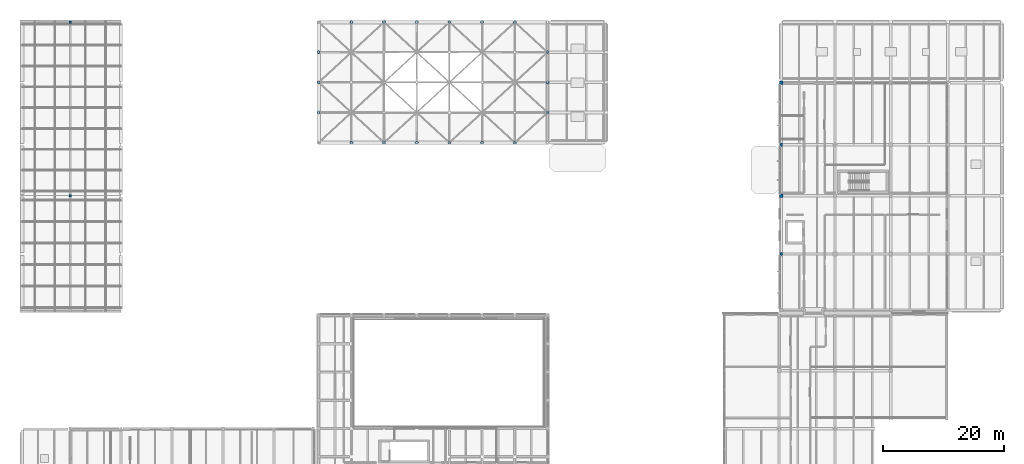
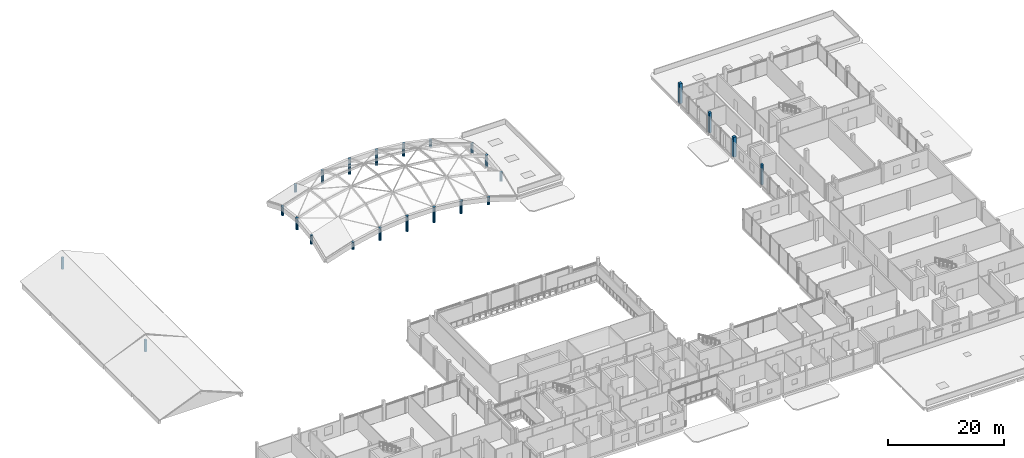
# One storey, part 3 of 66: 24 columns.
"""IFC4 building model written with IfcOpenShell, lengths in metres."""

import ifcopenshell
import ifcopenshell.guid

model = None  # the IFC model being written
_history = None  # IfcOwnerHistory: only IFC2X3 demands one
_inside = {}  # id of a spatial element -> (the spatial element, [elements in it])
_under = {}  # id of a project, library or spatial element -> (it, [spatial elements below it])
_declared = {}  # id of a project -> (the project, [libraries it declares])
_typed = {}  # id of a type object -> (the type object, [elements of that type])
_made_of = {}  # id of a material, layer set ... -> (it, [elements and type objects made of it])


def new_model(schema):
    """Start an empty IFC model of exactly this schema.

    Asked for "IFC4X3", IfcOpenShell would pick the latest addendum, in which some entities
    have other attributes; the version numbers below select the first issue.
    IFC2X3 requires an IfcOwnerHistory on every rooted entity: one is made here for all.
    """
    global model, _history
    if schema == "IFC4X3":
        model = ifcopenshell.file(schema_version=(4, 3, 0, 0))
    else:
        model = ifcopenshell.file(schema=schema)
    _inside.clear()
    _under.clear()
    _declared.clear()
    _typed.clear()
    _made_of.clear()
    _history = None
    if model.schema == "IFC2X3":
        org = make("IfcOrganization", Name="unknown")
        user = make(
            "IfcPersonAndOrganization",
            ThePerson=make("IfcPerson", FamilyName="unknown"),
            TheOrganization=org,
        )
        app = make(
            "IfcApplication",
            ApplicationDeveloper=org,
            Version="unknown",
            ApplicationFullName="unknown",
            ApplicationIdentifier="unknown",
        )
        _history = make(
            "IfcOwnerHistory",
            OwningUser=user,
            OwningApplication=app,
            ChangeAction="ADDED",
            CreationDate=0,
        )
    return model


def make(cls, **values):
    """One entity of the class cls with the attributes given. An attribute that is None is left unset."""
    return model.create_entity(
        cls, **{name: value for name, value in values.items() if value is not None}
    )


def rooted(cls, **values):
    """An entity with a GlobalId (a new one), such as an element, a storey or a relation."""
    return make(cls, GlobalId=ifcopenshell.guid.new(), OwnerHistory=_history, **values)


def si_unit(unit_type, name, prefix=None):
    """IfcSIUnit, for example si_unit("LENGTHUNIT", "METRE", prefix="MILLI")."""
    return make("IfcSIUnit", UnitType=unit_type, Prefix=prefix, Name=name)


def assignment(units):
    """IfcUnitAssignment: the units of a project."""
    return None if units is None else make("IfcUnitAssignment", Units=units)


def point(xyz):
    """IfcCartesianPoint."""
    return None if xyz is None else make("IfcCartesianPoint", Coordinates=xyz)


def direction(xyz):
    """IfcDirection."""
    return None if xyz is None else make("IfcDirection", DirectionRatios=xyz)


def frame(location, z_axis=None, x_axis=None):
    """IfcAxis2Placement3D, a coordinate frame: its origin and axes. An axis left out is left unset."""
    return make(
        "IfcAxis2Placement3D",
        Location=point(location),
        Axis=direction(z_axis),
        RefDirection=direction(x_axis),
    )


def frame_2d(location, x_axis=None):
    """IfcAxis2Placement2D, a coordinate frame in the plane: its origin and x axis."""
    return make(
        "IfcAxis2Placement2D", Location=point(location), RefDirection=direction(x_axis)
    )


def origin():
    """The frame at (0, 0, 0) with its axes left unset."""
    return frame((0.0, 0.0, 0.0))


def origin_2d():
    """The frame at (0, 0) in the plane with its x axis left unset."""
    return frame_2d((0.0, 0.0))


def place(relative_to, where):
    """IfcLocalPlacement: puts the frame where relative to a parent placement (None: the world)."""
    return make(
        "IfcLocalPlacement", PlacementRelTo=relative_to, RelativePlacement=where
    )


def context(
    kind, dimensions, precision=None, world=None, true_north=None, identifier=None
):
    """IfcGeometricRepresentationContext, for example the 3D "Model" context."""
    return make(
        "IfcGeometricRepresentationContext",
        ContextIdentifier=identifier,
        ContextType=kind,
        CoordinateSpaceDimension=dimensions,
        Precision=precision,
        WorldCoordinateSystem=world,
        TrueNorth=true_north,
    )


def subcontext(parent, identifier, kind, view, scale=None):
    """IfcGeometricRepresentationSubContext, for example "Body" below "Model"."""
    return make(
        "IfcGeometricRepresentationSubContext",
        ContextIdentifier=identifier,
        ContextType=kind,
        ParentContext=parent,
        TargetScale=scale,
        TargetView=view,
    )


def project(units=None, contexts=None):
    """IfcProject with its units and contexts."""
    return rooted(
        "IfcProject",
        Name="project",
        RepresentationContexts=contexts,
        UnitsInContext=assignment(units),
    )


def spatial(cls, under=None, at=None, **own):
    """A site, building, storey or space (cls), placed at a placement, below another one or the project."""
    s = rooted(cls, ObjectPlacement=at, **own)
    if under is not None:
        _under.setdefault(under.id(), (under, []))[1].append(s)
    return s


def profile(cls, at=None, kind="AREA", **sizes):
    """A parametric profile (cls). Its sizes go by their IFC names, for example OverallWidth=200.0."""
    return make(cls, ProfileType=kind, Position=at, **sizes)


def rectangle(**sizes):
    """IfcRectangleProfileDef."""
    return profile("IfcRectangleProfileDef", **sizes)


def circle(**sizes):
    """IfcCircleProfileDef."""
    return profile("IfcCircleProfileDef", **sizes)


def extrude(swept, where, along, depth):
    """IfcExtrudedAreaSolid: the profile swept, set in the frame where, extruded along a direction by depth."""
    return make(
        "IfcExtrudedAreaSolid",
        SweptArea=swept,
        Position=where,
        ExtrudedDirection=direction(along),
        Depth=depth,
    )


def shape(context_of_items, identifier, shape_type, items):
    """IfcShapeRepresentation: the items that make up one representation, for example the "Body"."""
    return make(
        "IfcShapeRepresentation",
        ContextOfItems=context_of_items,
        RepresentationIdentifier=identifier,
        RepresentationType=shape_type,
        Items=items,
    )


def material(Name=None, Category=None):
    """IfcMaterial."""
    return make("IfcMaterial", Name=Name, Category=Category)


def material_profile(
    of_material, cross_section, Name=None, Category=None, Priority=None
):
    """IfcMaterialProfile: a cross section and its material."""
    return make(
        "IfcMaterialProfile",
        Name=Name,
        Material=of_material,
        Profile=cross_section,
        Priority=Priority,
        Category=Category,
    )


def profile_set(profiles, Name=None, composite=None):
    """IfcMaterialProfileSet."""
    return make(
        "IfcMaterialProfileSet",
        Name=Name,
        MaterialProfiles=profiles,
        CompositeProfile=composite,
    )


def made_of(thing, what):
    """Note that an element or type object is made of a material, layer set ...; save() writes the relation."""
    if what is not None:
        _made_of.setdefault(what.id(), (what, []))[1].append(thing)
    return thing


def type_object(cls, material=None, **own):
    """A type object (cls), such as IfcWallType, which elements share."""
    return made_of(rooted(cls, **own), material)


def element(
    cls,
    number,
    at=None,
    inside=None,
    cuts=None,
    type_object=None,
    material=None,
    context=None,
    identifier="Body",
    shape_type=None,
    held_by="IfcProductDefinitionShape",
    body=None,
    shapes=None,
    **own,
):
    """One element of the class cls, such as IfcWall. Its Tag is "e" and its number.

    at: its placement. inside: the storey or other place that contains it. cuts: it is an
    opening in that element (IfcRelVoidsElement). A single representation is given by context,
    identifier, shape_type and body (its items); several are given by shapes. held_by: the class
    of the entity that holds the representations. save() writes the other relations.
    """
    e = rooted(cls, Tag="e%d" % number, ObjectPlacement=at, **own)
    if body is not None:
        shapes = [shape(context, identifier, shape_type, body)]
    if shapes is not None:
        e.Representation = make(held_by, Representations=shapes)
    if inside is not None:
        _inside.setdefault(inside.id(), (inside, []))[1].append(e)
    if cuts is not None:
        rooted(
            "IfcRelVoidsElement", RelatingBuildingElement=cuts, RelatedOpeningElement=e
        )
    if type_object is not None:
        _typed.setdefault(type_object.id(), (type_object, []))[1].append(e)
    return made_of(e, material)


def aggregate(whole, parts):
    """IfcRelAggregates: a whole, such as a stair, and the parts it consists of."""
    return rooted("IfcRelAggregates", RelatingObject=whole, RelatedObjects=parts)


def save(model, path):
    """Write the relations noted so far, then the file.

    IfcRelAggregates (storeys below a building ...), IfcRelContainedInSpatialStructure (elements
    in a storey), IfcRelDefinesByType, IfcRelAssociatesMaterial and IfcRelDeclares: one each for
    every whole, place, type object, material and project.
    """
    for whole, parts in _under.values():
        aggregate(whole, parts)
    for where, things in _inside.values():
        rooted(
            "IfcRelContainedInSpatialStructure",
            RelatedElements=things,
            RelatingStructure=where,
        )
    for kind, things in _typed.values():
        rooted("IfcRelDefinesByType", RelatedObjects=things, RelatingType=kind)
    for what, things in _made_of.values():
        rooted("IfcRelAssociatesMaterial", RelatedObjects=things, RelatingMaterial=what)
    for by, libraries in _declared.values():
        rooted("IfcRelDeclares", RelatingContext=by, RelatedDefinitions=libraries)
    model.write(path)


model = new_model("IFC4")

# Units and contexts
model_context = context("Model", 3, precision=1e-05, world=origin(), true_north=direction((0.0, 1.0)))
body_context = subcontext(model_context, "Body", "Model", "MODEL_VIEW")
ifc_project = project(units=[si_unit("LENGTHUNIT", "METRE"), si_unit("AREAUNIT", "SQUARE_METRE"), si_unit("VOLUMEUNIT", "CUBIC_METRE"), si_unit("PLANEANGLEUNIT", "RADIAN"), si_unit("MASSUNIT", "GRAM", prefix="KILO")], contexts=[model_context])

# Site, building, storey
site_placement = place(None, origin())
site = spatial("IfcSite", under=ifc_project, at=site_placement, CompositionType="ELEMENT")
building_placement = place(site_placement, origin())
building = spatial("IfcBuilding", under=site, at=building_placement, Name="Birchvale Park Specialist Clinic", CompositionType="ELEMENT")
storey_placement = place(building_placement, frame((0.0, 0.0, 5.39990234375)))
storey = spatial("IfcBuildingStorey", under=building, at=storey_placement, Name="L01", CompositionType="ELEMENT", Elevation=5.39990234375)

# Columns
ifc_material = material(Name="Concrete C40/50", Category="concrete")
ifc_material_profile_1 = material_profile(ifc_material, rectangle(XDim=0.580078125, YDim=0.580078125, at=origin_2d()), Name="RC-580x580")
ifc_profile_set_1 = profile_set([ifc_material_profile_1], Name="Concrete C40/50")
column_type_1 = type_object("IfcColumnType", Name="COL-EXT-C03", PredefinedType="COLUMN", material=ifc_profile_set_1)
column_1_placement = place(storey_placement, frame((128.35009765625, 101.39990234375, 0.0), z_axis=(0.0, 0.0, 1.0), x_axis=(1.0, 0.0, 0.0)))
element("IfcColumn", 1, at=column_1_placement, inside=storey, type_object=column_type_1, Name="V6 L01 column 5", PredefinedType="COLUMN", context=body_context, shape_type="SweptSolid", body=[
    extrude(rectangle(XDim=0.580078125, YDim=0.580078125, at=origin_2d()), origin(), (0.0, 0.0, 1.0), 4.2001953125),
])
ifc_material_profile_2 = material_profile(ifc_material, rectangle(XDim=0.530029296875, YDim=0.530029296875, at=origin_2d()), Name="RC-530x530")
ifc_profile_set_2 = profile_set([ifc_material_profile_2], Name="Concrete C40/50")
column_type_2 = type_object("IfcColumnType", Name="COL-EXT-C04", PredefinedType="COLUMN", material=ifc_profile_set_2)
column_2_placement = place(storey_placement, frame((128.35009765625, 82.800048828125, 0.0), z_axis=(0.0, 0.0, 1.0), x_axis=(1.0, 0.0, 0.0)))
element("IfcColumn", 2, at=column_2_placement, inside=storey, type_object=column_type_2, Name="V6 L01 column 3", PredefinedType="COLUMN", context=body_context, shape_type="SweptSolid", body=[
    extrude(rectangle(XDim=0.530029296875, YDim=0.530029296875, at=origin_2d()), origin(), (0.0, 0.0, 1.0), 4.2001953125),
])
ifc_material_profile_3 = material_profile(ifc_material, rectangle(XDim=0.419921875, YDim=0.580078125, at=origin_2d()), Name="RC-420x580")
ifc_profile_set_3 = profile_set([ifc_material_profile_3], Name="Concrete C40/50")
column_type_3 = type_object("IfcColumnType", Name="COL-EXT-C10", PredefinedType="COLUMN", material=ifc_profile_set_3)
column_3_placement = place(storey_placement, frame((128.35009765625, 91.199951171875, 0.0), z_axis=(0.0, 0.0, 1.0), x_axis=(1.0, 0.0, 0.0)))
element("IfcColumn", 3, at=column_3_placement, inside=storey, type_object=column_type_3, Name="V6 L01 column 4", PredefinedType="COLUMN", context=body_context, shape_type="SweptSolid", body=[
    extrude(rectangle(XDim=0.419921875, YDim=0.580078125, at=origin_2d()), origin(), (0.0, 0.0, 1.0), 4.2001953125),
])
ifc_material_profile_4 = material_profile(ifc_material, rectangle(XDim=0.3701171875, YDim=0.52001953125, at=origin_2d()), Name="RC-370x520")
ifc_profile_set_4 = profile_set([ifc_material_profile_4], Name="Concrete C40/50")
column_type_4 = type_object("IfcColumnType", Name="COL-EXT-C11", PredefinedType="COLUMN", material=ifc_profile_set_4)
column_4_placement = place(storey_placement, frame((128.35009765625, 73.199951171875, 0.0), z_axis=(0.0, 0.0, 1.0), x_axis=(1.0, 0.0, 0.0)))
element("IfcColumn", 4, at=column_4_placement, inside=storey, type_object=column_type_4, Name="V6 L01 column 2", PredefinedType="COLUMN", context=body_context, shape_type="SweptSolid", body=[
    extrude(rectangle(XDim=0.3701171875, YDim=0.52001953125, at=origin_2d()), origin(), (0.0, 0.0, 1.0), 4.2001953125),
])
ifc_material_profile_5 = material_profile(ifc_material, circle(Radius=0.260009765625, at=origin_2d()), Name="RCC-520")
ifc_profile_set_5 = profile_set([ifc_material_profile_5], Name="Concrete C40/50")
column_type_5 = type_object("IfcColumnType", Name="COL-EXT-CC2", PredefinedType="COLUMN", material=ifc_profile_set_5)
column_5_placement = place(storey_placement, frame((52.14990234375, 96.512451171875, 0.0), z_axis=(0.0, 0.0, 1.0), x_axis=(1.0, 0.0, 0.0)))
element("IfcColumn", 5, at=column_5_placement, inside=storey, type_object=column_type_5, Name="V3 gridshell perimeter arch support column 1", PredefinedType="COLUMN", context=body_context, shape_type="SweptSolid", body=[
    extrude(circle(Radius=0.260009765625, at=origin_2d()), origin(), (0.0, 0.0, 1.0), 1.8916015625),
])
column_6_placement = place(storey_placement, frame((52.14990234375, 101.47509765625, 0.0), z_axis=(0.0, 0.0, 1.0), x_axis=(1.0, 0.0, 0.0)))
element("IfcColumn", 6, at=column_6_placement, inside=storey, type_object=column_type_5, Name="V3 gridshell perimeter arch support column 2", PredefinedType="COLUMN", context=body_context, shape_type="SweptSolid", body=[
    extrude(circle(Radius=0.260009765625, at=origin_2d()), origin(), (0.0, 0.0, 1.0), 2.533203125),
])
column_7_placement = place(storey_placement, frame((52.14990234375, 106.4375, 0.0), z_axis=(0.0, 0.0, 1.0), x_axis=(1.0, 0.0, 0.0)))
element("IfcColumn", 7, at=column_7_placement, inside=storey, type_object=column_type_5, Name="V3 gridshell perimeter arch support column 3", PredefinedType="COLUMN", context=body_context, shape_type="SweptSolid", body=[
    extrude(circle(Radius=0.260009765625, at=origin_2d()), origin(), (0.0, 0.0, 1.0), 1.8916015625),
])
for number, where, z_axis, x_axis, name in (
    (8, (57.53564453125, 91.550048828125, 0.0), (0.0, 0.0, 1.0), (1.0, 0.0, 0.0), "V3 gridshell perimeter arch support column 4"),
    (9, (57.53564453125, 111.39990234375, 0.0), (0.0, 0.0, 1.0), (1.0, 0.0, 0.0), "V3 gridshell perimeter arch support column 5"),
):
    element("IfcColumn", number, at=place(storey_placement, frame(where, z_axis=z_axis, x_axis=x_axis)), inside=storey, type_object=column_type_5, Name=name, PredefinedType="COLUMN", context=body_context, shape_type="SweptSolid", body=[
        extrude(circle(Radius=0.260009765625, at=origin_2d()), origin(), (0.0, 0.0, 1.0), 1.58349609375),
    ])
for number, where, z_axis, x_axis, name in (
    (10, (62.92138671875, 91.550048828125, 0.0), (0.0, 0.0, 1.0), (1.0, 0.0, 0.0), "V3 gridshell perimeter arch support column 6"),
    (11, (62.92138671875, 111.39990234375, 0.0), (0.0, 0.0, 1.0), (1.0, 0.0, 0.0), "V3 gridshell perimeter arch support column 7"),
):
    element("IfcColumn", number, at=place(storey_placement, frame(where, z_axis=z_axis, x_axis=x_axis)), inside=storey, type_object=column_type_5, Name=name, PredefinedType="COLUMN", context=body_context, shape_type="SweptSolid", body=[
        extrude(circle(Radius=0.260009765625, at=origin_2d()), origin(), (0.0, 0.0, 1.0), 2.7255859375),
    ])
for number, where, z_axis, x_axis, name in (
    (12, (68.30712890625, 91.550048828125, 0.0), (0.0, 0.0, 1.0), (1.0, 0.0, 0.0), "V3 gridshell perimeter arch support column 8"),
    (13, (68.30712890625, 111.39990234375, 0.0), (0.0, 0.0, 1.0), (1.0, 0.0, 0.0), "V3 gridshell perimeter arch support column 9"),
    (14, (73.69287109375, 91.550048828125, 0.0), (0.0, 0.0, 1.0), (1.0, 0.0, 0.0), "V3 gridshell perimeter arch support column 10"),
    (15, (73.69287109375, 111.39990234375, 0.0), (0.0, 0.0, 1.0), (1.0, 0.0, 0.0), "V3 gridshell perimeter arch support column 11"),
):
    element("IfcColumn", number, at=place(storey_placement, frame(where, z_axis=z_axis, x_axis=x_axis)), inside=storey, type_object=column_type_5, Name=name, PredefinedType="COLUMN", context=body_context, shape_type="SweptSolid", body=[
        extrude(circle(Radius=0.260009765625, at=origin_2d()), origin(), (0.0, 0.0, 1.0), 3.287109375),
    ])
for number, where, z_axis, x_axis, name in (
    (16, (79.07861328125, 91.550048828125, 0.0), (0.0, 0.0, 1.0), (1.0, 0.0, 0.0), "V3 gridshell perimeter arch support column 12"),
    (17, (79.07861328125, 111.39990234375, 0.0), (0.0, 0.0, 1.0), (1.0, 0.0, 0.0), "V3 gridshell perimeter arch support column 13"),
):
    element("IfcColumn", number, at=place(storey_placement, frame(where, z_axis=z_axis, x_axis=x_axis)), inside=storey, type_object=column_type_5, Name=name, PredefinedType="COLUMN", context=body_context, shape_type="SweptSolid", body=[
        extrude(circle(Radius=0.260009765625, at=origin_2d()), origin(), (0.0, 0.0, 1.0), 2.7255859375),
    ])
for number, where, z_axis, x_axis, name in (
    (18, (84.46435546875, 91.550048828125, 0.0), (0.0, 0.0, 1.0), (1.0, 0.0, 0.0), "V3 gridshell perimeter arch support column 14"),
    (19, (84.46435546875, 111.39990234375, 0.0), (0.0, 0.0, 1.0), (1.0, 0.0, 0.0), "V3 gridshell perimeter arch support column 15"),
):
    element("IfcColumn", number, at=place(storey_placement, frame(where, z_axis=z_axis, x_axis=x_axis)), inside=storey, type_object=column_type_5, Name=name, PredefinedType="COLUMN", context=body_context, shape_type="SweptSolid", body=[
        extrude(circle(Radius=0.260009765625, at=origin_2d()), origin(), (0.0, 0.0, 1.0), 1.58349609375),
    ])
column_8_placement = place(storey_placement, frame((89.85009765625, 96.512451171875, 0.0), z_axis=(0.0, 0.0, 1.0), x_axis=(1.0, 0.0, 0.0)))
element("IfcColumn", 20, at=column_8_placement, inside=storey, type_object=column_type_5, Name="V3 gridshell perimeter arch support column 16", PredefinedType="COLUMN", context=body_context, shape_type="SweptSolid", body=[
    extrude(circle(Radius=0.260009765625, at=origin_2d()), origin(), (0.0, 0.0, 1.0), 1.8916015625),
])
column_9_placement = place(storey_placement, frame((89.85009765625, 101.47509765625, 0.0), z_axis=(0.0, 0.0, 1.0), x_axis=(1.0, 0.0, 0.0)))
element("IfcColumn", 21, at=column_9_placement, inside=storey, type_object=column_type_5, Name="V3 gridshell perimeter arch support column 17", PredefinedType="COLUMN", context=body_context, shape_type="SweptSolid", body=[
    extrude(circle(Radius=0.260009765625, at=origin_2d()), origin(), (0.0, 0.0, 1.0), 2.533203125),
])
column_10_placement = place(storey_placement, frame((89.85009765625, 106.4375, 0.0), z_axis=(0.0, 0.0, 1.0), x_axis=(1.0, 0.0, 0.0)))
element("IfcColumn", 22, at=column_10_placement, inside=storey, type_object=column_type_5, Name="V3 gridshell perimeter arch support column 18", PredefinedType="COLUMN", context=body_context, shape_type="SweptSolid", body=[
    extrude(circle(Radius=0.260009765625, at=origin_2d()), origin(), (0.0, 0.0, 1.0), 1.8916015625),
])
ifc_material_profile_6 = material_profile(ifc_material, rectangle(XDim=0.39990234375, YDim=0.39990234375, at=origin_2d()), Name="RC-400x400")
ifc_profile_set_6 = profile_set([ifc_material_profile_6], Name="Concrete C40/50")
column_type_6 = type_object("IfcColumnType", Name="COL-INT-C07", PredefinedType="COLUMN", material=ifc_profile_set_6)
for number, where, z_axis, x_axis, name in (
    (23, (11.199951171875, 82.800048828125, 0.0), (0.0, 0.0, 1.0), (1.0, 0.0, 0.0), "L01 west pavilion ridge column 2"),
    (24, (11.199951171875, 111.39990234375, 0.0), (0.0, 0.0, 1.0), (1.0, 0.0, 0.0), "L01 west pavilion ridge column 3"),
):
    element("IfcColumn", number, at=place(storey_placement, frame(where, z_axis=z_axis, x_axis=x_axis)), inside=storey, type_object=column_type_6, Name=name, PredefinedType="COLUMN", context=body_context, shape_type="SweptSolid", body=[
        extrude(rectangle(XDim=0.39990234375, YDim=0.39990234375, at=origin_2d()), origin(), (0.0, 0.0, 1.0), 2.463134765625),
    ])

save(model, "model.ifc")
